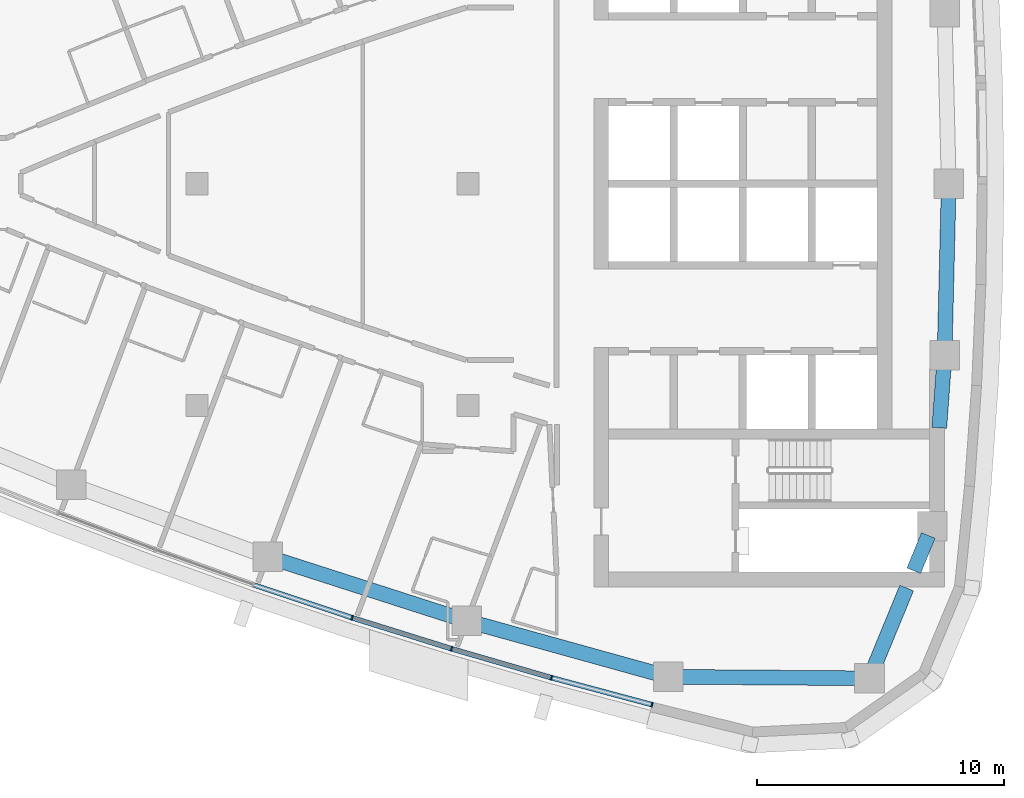
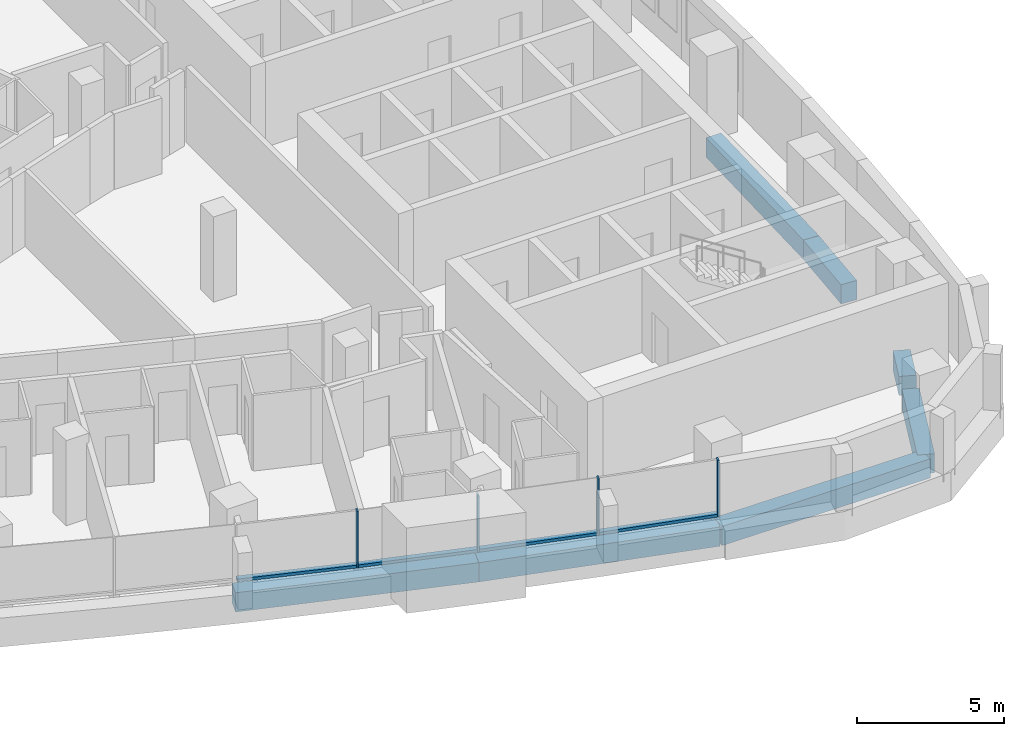
# One storey, part 4 of 16: 8 members, 7 beams, 2 elements without a shape of their own.
"""IFC4 building model written with IfcOpenShell, lengths in metres."""

import ifcopenshell
import ifcopenshell.guid

model = None  # the IFC model being written
_history = None  # IfcOwnerHistory: only IFC2X3 demands one
_inside = {}  # id of a spatial element -> (the spatial element, [elements in it])
_under = {}  # id of a project, library or spatial element -> (it, [spatial elements below it])
_declared = {}  # id of a project -> (the project, [libraries it declares])
_typed = {}  # id of a type object -> (the type object, [elements of that type])
_made_of = {}  # id of a material, layer set ... -> (it, [elements and type objects made of it])


def new_model(schema):
    """Start an empty IFC model of exactly this schema.

    Asked for "IFC4X3", IfcOpenShell would pick the latest addendum, in which some entities
    have other attributes; the version numbers below select the first issue.
    IFC2X3 requires an IfcOwnerHistory on every rooted entity: one is made here for all.
    """
    global model, _history
    if schema == "IFC4X3":
        model = ifcopenshell.file(schema_version=(4, 3, 0, 0))
    else:
        model = ifcopenshell.file(schema=schema)
    _inside.clear()
    _under.clear()
    _declared.clear()
    _typed.clear()
    _made_of.clear()
    _history = None
    if model.schema == "IFC2X3":
        org = make("IfcOrganization", Name="unknown")
        user = make(
            "IfcPersonAndOrganization",
            ThePerson=make("IfcPerson", FamilyName="unknown"),
            TheOrganization=org,
        )
        app = make(
            "IfcApplication",
            ApplicationDeveloper=org,
            Version="unknown",
            ApplicationFullName="unknown",
            ApplicationIdentifier="unknown",
        )
        _history = make(
            "IfcOwnerHistory",
            OwningUser=user,
            OwningApplication=app,
            ChangeAction="ADDED",
            CreationDate=0,
        )
    return model


def make(cls, **values):
    """One entity of the class cls with the attributes given. An attribute that is None is left unset."""
    return model.create_entity(
        cls, **{name: value for name, value in values.items() if value is not None}
    )


def rooted(cls, **values):
    """An entity with a GlobalId (a new one), such as an element, a storey or a relation."""
    return make(cls, GlobalId=ifcopenshell.guid.new(), OwnerHistory=_history, **values)


def si_unit(unit_type, name, prefix=None):
    """IfcSIUnit, for example si_unit("LENGTHUNIT", "METRE", prefix="MILLI")."""
    return make("IfcSIUnit", UnitType=unit_type, Prefix=prefix, Name=name)


def assignment(units):
    """IfcUnitAssignment: the units of a project."""
    return None if units is None else make("IfcUnitAssignment", Units=units)


def point(xyz):
    """IfcCartesianPoint."""
    return None if xyz is None else make("IfcCartesianPoint", Coordinates=xyz)


def direction(xyz):
    """IfcDirection."""
    return None if xyz is None else make("IfcDirection", DirectionRatios=xyz)


def frame(location, z_axis=None, x_axis=None):
    """IfcAxis2Placement3D, a coordinate frame: its origin and axes. An axis left out is left unset."""
    return make(
        "IfcAxis2Placement3D",
        Location=point(location),
        Axis=direction(z_axis),
        RefDirection=direction(x_axis),
    )


def frame_2d(location, x_axis=None):
    """IfcAxis2Placement2D, a coordinate frame in the plane: its origin and x axis."""
    return make(
        "IfcAxis2Placement2D", Location=point(location), RefDirection=direction(x_axis)
    )


def origin():
    """The frame at (0, 0, 0) with its axes left unset."""
    return frame((0.0, 0.0, 0.0))


def origin_2d():
    """The frame at (0, 0) in the plane with its x axis left unset."""
    return frame_2d((0.0, 0.0))


def place(relative_to, where):
    """IfcLocalPlacement: puts the frame where relative to a parent placement (None: the world)."""
    return make(
        "IfcLocalPlacement", PlacementRelTo=relative_to, RelativePlacement=where
    )


def context(
    kind, dimensions, precision=None, world=None, true_north=None, identifier=None
):
    """IfcGeometricRepresentationContext, for example the 3D "Model" context."""
    return make(
        "IfcGeometricRepresentationContext",
        ContextIdentifier=identifier,
        ContextType=kind,
        CoordinateSpaceDimension=dimensions,
        Precision=precision,
        WorldCoordinateSystem=world,
        TrueNorth=true_north,
    )


def subcontext(parent, identifier, kind, view, scale=None):
    """IfcGeometricRepresentationSubContext, for example "Body" below "Model"."""
    return make(
        "IfcGeometricRepresentationSubContext",
        ContextIdentifier=identifier,
        ContextType=kind,
        ParentContext=parent,
        TargetScale=scale,
        TargetView=view,
    )


def project(units=None, contexts=None):
    """IfcProject with its units and contexts."""
    return rooted(
        "IfcProject",
        Name="project",
        RepresentationContexts=contexts,
        UnitsInContext=assignment(units),
    )


def spatial(cls, under=None, at=None, **own):
    """A site, building, storey or space (cls), placed at a placement, below another one or the project."""
    s = rooted(cls, ObjectPlacement=at, **own)
    if under is not None:
        _under.setdefault(under.id(), (under, []))[1].append(s)
    return s


def profile(cls, at=None, kind="AREA", **sizes):
    """A parametric profile (cls). Its sizes go by their IFC names, for example OverallWidth=200.0."""
    return make(cls, ProfileType=kind, Position=at, **sizes)


def rectangle(**sizes):
    """IfcRectangleProfileDef."""
    return profile("IfcRectangleProfileDef", **sizes)


def extrude(swept, where, along, depth):
    """IfcExtrudedAreaSolid: the profile swept, set in the frame where, extruded along a direction by depth."""
    return make(
        "IfcExtrudedAreaSolid",
        SweptArea=swept,
        Position=where,
        ExtrudedDirection=direction(along),
        Depth=depth,
    )


def shape(context_of_items, identifier, shape_type, items):
    """IfcShapeRepresentation: the items that make up one representation, for example the "Body"."""
    return make(
        "IfcShapeRepresentation",
        ContextOfItems=context_of_items,
        RepresentationIdentifier=identifier,
        RepresentationType=shape_type,
        Items=items,
    )


def material(Name=None, Category=None):
    """IfcMaterial."""
    return make("IfcMaterial", Name=Name, Category=Category)


def layer(
    of_material, thickness, ventilated=None, Name=None, Category=None, Priority=None
):
    """IfcMaterialLayer: one layer of a wall or slab, of a material (None: an air gap)."""
    return make(
        "IfcMaterialLayer",
        Material=of_material,
        LayerThickness=thickness,
        IsVentilated=ventilated,
        Name=Name,
        Category=Category,
        Priority=Priority,
    )


def layer_set(layers, Name=None):
    """IfcMaterialLayerSet."""
    return make("IfcMaterialLayerSet", MaterialLayers=layers, LayerSetName=Name)


def material_profile(
    of_material, cross_section, Name=None, Category=None, Priority=None
):
    """IfcMaterialProfile: a cross section and its material."""
    return make(
        "IfcMaterialProfile",
        Name=Name,
        Material=of_material,
        Profile=cross_section,
        Priority=Priority,
        Category=Category,
    )


def profile_set(profiles, Name=None, composite=None):
    """IfcMaterialProfileSet."""
    return make(
        "IfcMaterialProfileSet",
        Name=Name,
        MaterialProfiles=profiles,
        CompositeProfile=composite,
    )


def made_of(thing, what):
    """Note that an element or type object is made of a material, layer set ...; save() writes the relation."""
    if what is not None:
        _made_of.setdefault(what.id(), (what, []))[1].append(thing)
    return thing


def type_object(cls, material=None, **own):
    """A type object (cls), such as IfcWallType, which elements share."""
    return made_of(rooted(cls, **own), material)


def element(
    cls,
    number,
    at=None,
    inside=None,
    cuts=None,
    type_object=None,
    material=None,
    context=None,
    identifier="Body",
    shape_type=None,
    held_by="IfcProductDefinitionShape",
    body=None,
    shapes=None,
    **own,
):
    """One element of the class cls, such as IfcWall. Its Tag is "e" and its number.

    at: its placement. inside: the storey or other place that contains it. cuts: it is an
    opening in that element (IfcRelVoidsElement). A single representation is given by context,
    identifier, shape_type and body (its items); several are given by shapes. held_by: the class
    of the entity that holds the representations. save() writes the other relations.
    """
    e = rooted(cls, Tag="e%d" % number, ObjectPlacement=at, **own)
    if body is not None:
        shapes = [shape(context, identifier, shape_type, body)]
    if shapes is not None:
        e.Representation = make(held_by, Representations=shapes)
    if inside is not None:
        _inside.setdefault(inside.id(), (inside, []))[1].append(e)
    if cuts is not None:
        rooted(
            "IfcRelVoidsElement", RelatingBuildingElement=cuts, RelatedOpeningElement=e
        )
    if type_object is not None:
        _typed.setdefault(type_object.id(), (type_object, []))[1].append(e)
    return made_of(e, material)


def aggregate(whole, parts):
    """IfcRelAggregates: a whole, such as a stair, and the parts it consists of."""
    return rooted("IfcRelAggregates", RelatingObject=whole, RelatedObjects=parts)


def save(model, path):
    """Write the relations noted so far, then the file.

    IfcRelAggregates (storeys below a building ...), IfcRelContainedInSpatialStructure (elements
    in a storey), IfcRelDefinesByType, IfcRelAssociatesMaterial and IfcRelDeclares: one each for
    every whole, place, type object, material and project.
    """
    for whole, parts in _under.values():
        aggregate(whole, parts)
    for where, things in _inside.values():
        rooted(
            "IfcRelContainedInSpatialStructure",
            RelatedElements=things,
            RelatingStructure=where,
        )
    for kind, things in _typed.values():
        rooted("IfcRelDefinesByType", RelatedObjects=things, RelatingType=kind)
    for what, things in _made_of.values():
        rooted("IfcRelAssociatesMaterial", RelatedObjects=things, RelatingMaterial=what)
    for by, libraries in _declared.values():
        rooted("IfcRelDeclares", RelatingContext=by, RelatedDefinitions=libraries)
    model.write(path)


model = new_model("IFC4")

# Units and contexts
model_context = context("Model", 3, precision=1e-05, world=origin(), true_north=direction((0.0, 1.0)))
body_context = subcontext(model_context, "Body", "Model", "MODEL_VIEW")
ifc_project = project(units=[si_unit("LENGTHUNIT", "METRE"), si_unit("AREAUNIT", "SQUARE_METRE"), si_unit("VOLUMEUNIT", "CUBIC_METRE"), si_unit("PLANEANGLEUNIT", "RADIAN"), si_unit("MASSUNIT", "GRAM", prefix="KILO")], contexts=[model_context])

# Site, building, storey
site_placement = place(None, origin())
site = spatial("IfcSite", under=ifc_project, at=site_placement, CompositionType="ELEMENT")
building_placement = place(site_placement, origin())
building = spatial("IfcBuilding", under=site, at=building_placement, Name="Ostrand Prow Hotel Tower", CompositionType="ELEMENT")
storey_placement = place(building_placement, frame((0.0, 0.0, 252.75)))
storey = spatial("IfcBuildingStorey", under=building, at=storey_placement, Name="L64", CompositionType="ELEMENT", Elevation=252.75)

# Beams
ifc_material_1 = material(Name="Concrete C50/60", Category="concrete")
ifc_material_profile_1 = material_profile(ifc_material_1, rectangle(XDim=0.60009765625, YDim=0.800048828125, at=origin_2d()), Name="RC 600x800")
ifc_profile_set_1 = profile_set([ifc_material_profile_1], Name="Concrete C50/60")
beam_type = type_object("IfcBeamType", Name="Edge beam 600x800 C50/60", PredefinedType="SPANDREL", material=ifc_profile_set_1)
for number, where, z_axis, x_axis, name in (
    (1, (36.8671875, -15.131591796875, -0.699951171875), (0.95193933362, -0.306286638798, 0.0), (0.306286638798, 0.95193933362, 0.0), "Edge beam S4-S5"),
    (2, (44.94677734375, -17.731201171875, -0.699951171875), (0.963625802813, -0.267255144297, 0.0), (0.267255144297, 0.963625802813, 0.0), "Edge beam S5-S6"),
):
    element("IfcBeam", number, at=place(storey_placement, frame(where, z_axis=z_axis, x_axis=x_axis)), inside=storey, type_object=beam_type, Name=name, PredefinedType="SPANDREL", context=body_context, shape_type="SweptSolid", body=[
        extrude(rectangle(XDim=0.60009765625, YDim=0.800048828125, at=origin_2d()), origin(), (0.0, 0.0, 1.0), 8.487548828125),
    ])
beam_1_placement = place(storey_placement, frame((53.12548828125, -19.99951171875, -0.699951171875), z_axis=(0.999970657582, -0.007660546678, 0.0), x_axis=(0.007660546678, 0.999970657582, 0.0)))
element("IfcBeam", 3, at=beam_1_placement, inside=storey, type_object=beam_type, Name="Edge beam S6-SE", PredefinedType="SPANDREL", context=body_context, shape_type="SweptSolid", body=[
    extrude(rectangle(XDim=0.60009765625, YDim=0.800048828125, at=origin_2d()), origin(), (0.0, 0.0, 1.0), 8.15869140625),
])
beam_2_placement = place(storey_placement, frame((61.283935546875, -20.06201171875, -0.699951171875), z_axis=(0.380777709221, 0.924666608114, 0.0), x_axis=(-0.924666608114, 0.380777709221, 0.0)))
element("IfcBeam", 4, at=beam_2_placement, inside=storey, type_object=beam_type, Name="Edge beam SE-B1", PredefinedType="SPANDREL", context=body_context, shape_type="SweptSolid", body=[
    extrude(rectangle(XDim=0.60009765625, YDim=0.800048828125, at=origin_2d()), origin(), (0.0, 0.0, 1.0), 3.96044921875),
])
beam_3_placement = place(storey_placement, frame((63.080078125, -15.699951171875, -0.699951171875), z_axis=(0.380773585759, 0.924668306145, 0.0), x_axis=(-0.924668306145, 0.380773585759, 0.0)))
element("IfcBeam", 5, at=beam_3_placement, inside=storey, type_object=beam_type, Name="Edge beam SE-B1", PredefinedType="SPANDREL", context=body_context, shape_type="SweptSolid", body=[
    extrude(rectangle(XDim=0.60009765625, YDim=0.800048828125, at=origin_2d()), origin(), (0.0, 0.0, 1.0), 1.549072265625),
])
beam_4_placement = place(storey_placement, frame((64.11669921875, -9.89990234375, -0.699951171875), z_axis=(0.072691068771, 0.997354504938, 0.0), x_axis=(-0.997354504938, 0.072691068771, 0.0)))
element("IfcBeam", 6, at=beam_4_placement, inside=storey, type_object=beam_type, Name="Edge beam B1-B2", PredefinedType="SPANDREL", context=body_context, shape_type="SweptSolid", body=[
    extrude(rectangle(XDim=0.60009765625, YDim=0.800048828125, at=origin_2d()), origin(), (0.0, 0.0, 1.0), 2.95556640625),
])
beam_5_placement = place(storey_placement, frame((64.33154296875, -6.9521484375, -0.699951171875), z_axis=(0.024223820991, 0.999706560195, 0.0), x_axis=(-0.999706560195, 0.024223820991, 0.0)))
element("IfcBeam", 7, at=beam_5_placement, inside=storey, type_object=beam_type, Name="Edge beam B2-B3", PredefinedType="SPANDREL", context=body_context, shape_type="SweptSolid", body=[
    extrude(rectangle(XDim=0.60009765625, YDim=0.800048828125, at=origin_2d()), origin(), (0.0, 0.0, 1.0), 6.9541015625),
])

# Curtain wall, members
ifc_material_2 = material(Name="Insulated glass in bronze anodised frame", Category="glass")
ifc_layer = layer(ifc_material_2, 0.199951171875)
ifc_layer_set = layer_set([ifc_layer], Name="Insulated glass in bronze anodised frame")
curtain_wall_type = type_object("IfcCurtainWallType", Name="Strip curtain wall, fritted glass over bronze spandrel", PredefinedType="NOTDEFINED", material=ifc_layer_set)
curtain_wall_1_placement = place(storey_placement, origin())
curtain_wall_1 = element("IfcCurtainWall", 8, at=curtain_wall_1_placement, inside=storey, type_object=curtain_wall_type, Name="CW1 run CWS4", PredefinedType="NOTDEFINED")
ifc_material_3 = material(Name="Bronze anodised aluminium", Category="aluminium")
ifc_material_profile_2 = material_profile(ifc_material_3, rectangle(XDim=0.199951171875, YDim=0.06005859375, at=origin_2d()), Name="Mullion 60x200 bronze anodised aluminium")
ifc_profile_set_2 = profile_set([ifc_material_profile_2], Name="Bronze anodised aluminium")
member_type_1 = type_object("IfcMemberType", Name="Mullion 60x200 bronze anodised aluminium", PredefinedType="MULLION", material=ifc_profile_set_2)
member_1_placement = place(storey_placement, frame((40.297119140625, -17.605712890625, 0.89990234375), z_axis=(0.0, 0.0, 1.0), x_axis=(0.297678138765, 0.95466629023, 0.0)))
member_1 = element("IfcMember", 9, at=member_1_placement, type_object=member_type_1, Name="CW1 mullion 2", PredefinedType="MULLION", context=body_context, shape_type="SweptSolid", body=[
    extrude(rectangle(XDim=0.199951171875, YDim=0.06005859375, at=origin_2d()), origin(), (0.0, 0.0, 1.0), 2.35009765625),
])
member_2_placement = place(storey_placement, frame((44.3291015625, -18.863037109375, 0.89990234375), z_axis=(0.0, 0.0, 1.0), x_axis=(0.297678138765, 0.95466629023, 0.0)))
member_2 = element("IfcMember", 10, at=member_2_placement, type_object=member_type_1, Name="CW1 mullion 3", PredefinedType="MULLION", context=body_context, shape_type="SweptSolid", body=[
    extrude(rectangle(XDim=0.199951171875, YDim=0.06005859375, at=origin_2d()), origin(), (0.0, 0.0, 1.0), 2.35009765625),
])

curtain_wall_2_placement = place(storey_placement, origin())
curtain_wall_2 = element("IfcCurtainWall", 11, at=curtain_wall_2_placement, inside=storey, type_object=curtain_wall_type, Name="CW1 run CWS5", PredefinedType="NOTDEFINED")
member_3_placement = place(storey_placement, frame((48.385986328125, -20.038818359375, 0.89990234375), z_axis=(0.0, 0.0, 1.0), x_axis=(0.258994370132, 0.965878831034, 0.0)))
member_3 = element("IfcMember", 12, at=member_3_placement, type_object=member_type_1, Name="CW1 mullion 2", PredefinedType="MULLION", context=body_context, shape_type="SweptSolid", body=[
    extrude(rectangle(XDim=0.199951171875, YDim=0.06005859375, at=origin_2d()), origin(), (0.0, 0.0, 1.0), 2.35009765625),
])
member_4_placement = place(storey_placement, frame((52.465576171875, -21.1328125, 0.89990234375), z_axis=(0.0, 0.0, 1.0), x_axis=(0.258994370132, 0.965878831034, 0.0)))
member_4 = element("IfcMember", 13, at=member_4_placement, type_object=member_type_1, Name="CW1 mullion 3", PredefinedType="MULLION", context=body_context, shape_type="SweptSolid", body=[
    extrude(rectangle(XDim=0.199951171875, YDim=0.06005859375, at=origin_2d()), origin(), (0.0, 0.0, 1.0), 2.35009765625),
])

# Member
ifc_material_4 = material(Name="Bronze anodised aluminium", Category="aluminium")
ifc_material_profile_3 = material_profile(ifc_material_4, rectangle(XDim=0.199951171875, YDim=0.1201171875, at=origin_2d()), Name="Transom 120x200 bronze anodised aluminium")
ifc_profile_set_3 = profile_set([ifc_material_profile_3], Name="Bronze anodised aluminium")
member_type_2 = type_object("IfcMemberType", Name="Transom 120x200 bronze anodised aluminium", PredefinedType="USERDEFINED", material=ifc_profile_set_3)
member_5_placement = place(storey_placement, frame((36.3193359375, -16.277099609375, 0.9599609375), z_axis=(0.948489622939, -0.316808199353, 0.0), x_axis=(0.316808199353, 0.948489622939, 0.0)))
member_5 = element("IfcMember", 14, at=member_5_placement, type_object=member_type_2, Name="CW1 transom 1.1", ObjectType="TRANSOM", PredefinedType="USERDEFINED", context=body_context, shape_type="SweptSolid", body=[
    extrude(rectangle(XDim=0.199951171875, YDim=0.1201171875, at=origin_2d()), origin(), (0.0, 0.0, 1.0), 4.16357421875),
])

member_6_placement = place(storey_placement, frame((40.32568359375, -17.61474609375, 0.9599609375), z_axis=(0.954676966691, -0.297643896746, 0.0), x_axis=(0.297643896746, 0.954676966691, 0.0)))
member_6 = element("IfcMember", 15, at=member_6_placement, type_object=member_type_2, Name="CW1 transom 2.1", ObjectType="TRANSOM", PredefinedType="USERDEFINED", context=body_context, shape_type="SweptSolid", body=[
    extrude(rectangle(XDim=0.199951171875, YDim=0.1201171875, at=origin_2d()), origin(), (0.0, 0.0, 1.0), 4.16357421875),
])

aggregate(curtain_wall_1, [member_1, member_2, member_5, member_6])

member_7_placement = place(storey_placement, frame((44.35791015625, -18.871337890625, 0.9599609375), z_axis=(0.960468183791, -0.278389776976, 0.0), x_axis=(0.278389776976, 0.960468183791, 0.0)))
member_7 = element("IfcMember", 16, at=member_7_placement, type_object=member_type_2, Name="CW1 transom 1.1", ObjectType="TRANSOM", PredefinedType="USERDEFINED", context=body_context, shape_type="SweptSolid", body=[
    extrude(rectangle(XDim=0.199951171875, YDim=0.1201171875, at=origin_2d()), origin(), (0.0, 0.0, 1.0), 4.163818359375),
])

member_8_placement = place(storey_placement, frame((48.4150390625, -20.046630859375, 0.9599609375), z_axis=(0.96587683346, -0.259001819657, 0.0), x_axis=(0.259001819657, 0.96587683346, 0.0)))
member_8 = element("IfcMember", 17, at=member_8_placement, type_object=member_type_2, Name="CW1 transom 2.1", ObjectType="TRANSOM", PredefinedType="USERDEFINED", context=body_context, shape_type="SweptSolid", body=[
    extrude(rectangle(XDim=0.199951171875, YDim=0.1201171875, at=origin_2d()), origin(), (0.0, 0.0, 1.0), 4.16357421875),
])

aggregate(curtain_wall_2, [member_3, member_4, member_7, member_8])

save(model, "model.ifc")
